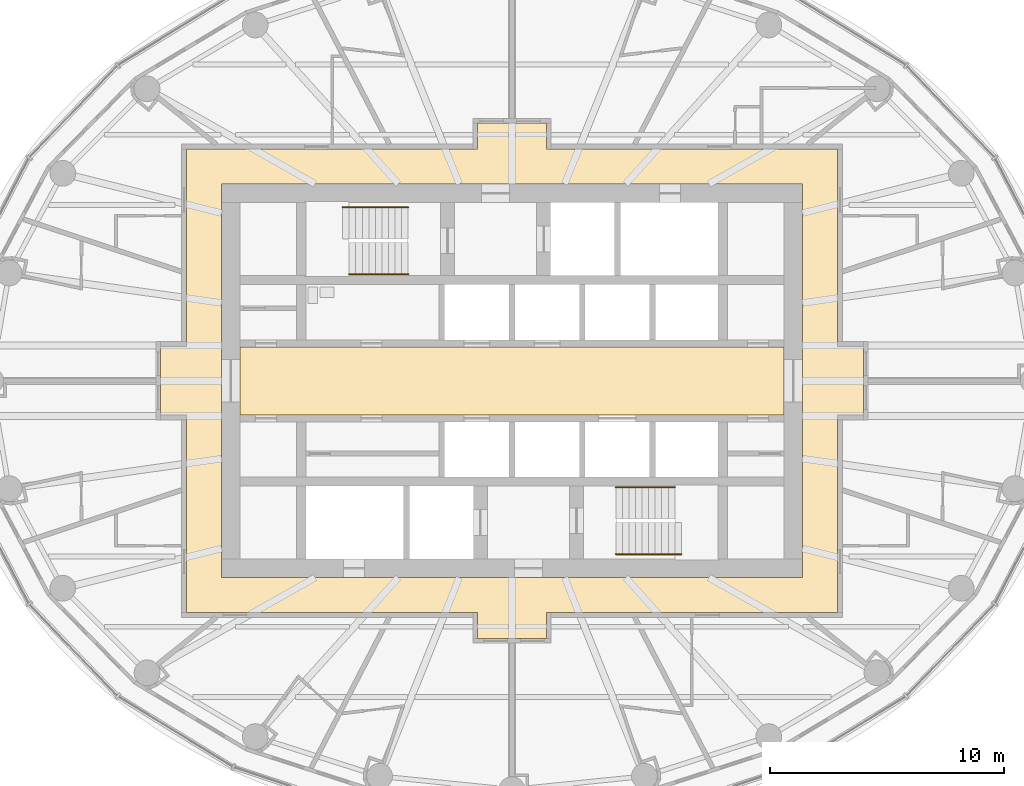
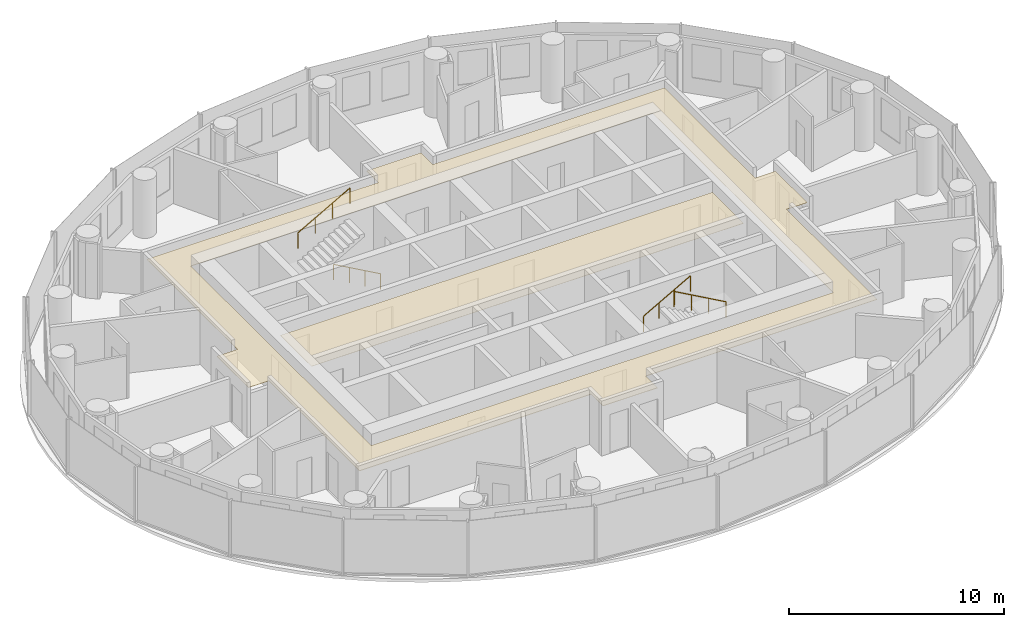
# One storey, part 15 of 16: 4 railings, 2 coverings.
"""IFC4 building model written with IfcOpenShell, lengths in metres."""

from ifc_helpers import new_model, si_unit, direction, frame, origin, origin_2d, place, context, subcontext, project, spatial, polyline, circle, outline, extrude, material, layer, layer_set, type_object, element, save


model = new_model("IFC4")

# Units and contexts
model_context = context("Model", 3, precision=1e-05, world=origin(), true_north=direction((0.0, 1.0)))
body_context = subcontext(model_context, "Body", "Model", "MODEL_VIEW")
ifc_project = project(units=[si_unit("LENGTHUNIT", "METRE"), si_unit("AREAUNIT", "SQUARE_METRE"), si_unit("VOLUMEUNIT", "CUBIC_METRE"), si_unit("PLANEANGLEUNIT", "RADIAN"), si_unit("MASSUNIT", "GRAM", prefix="KILO")], contexts=[model_context])

# Site, building, storey
site_placement = place(None, origin())
site = spatial("IfcSite", under=ifc_project, at=site_placement, CompositionType="ELEMENT")
building_placement = place(site_placement, origin())
building = spatial("IfcBuilding", under=site, at=building_placement, Name="Hankou Lantern Tower", CompositionType="ELEMENT")
storey_placement = place(building_placement, frame((0.0, 0.0, 150.0)))
storey = spatial("IfcBuildingStorey", under=building, at=storey_placement, Name="L39", CompositionType="ELEMENT", Elevation=150.0)

# Coverings
ifc_material_1 = material(Name="Black painted aluminium linear ceiling panels", Category="aluminium")
ifc_layer_1 = layer(ifc_material_1, 0.02490234375)
ifc_layer_set_1 = layer_set([ifc_layer_1], Name="Black painted aluminium linear ceiling panels")
covering_type_1 = type_object("IfcCoveringType", Name="CL1 CORRIDOR CEILING 25", PredefinedType="CEILING", material=ifc_layer_set_1)
covering_1_placement = place(storey_placement, frame((0.0, 0.0, 2.64501953125)))
element("IfcCovering", 1, at=covering_1_placement, inside=storey, type_object=covering_type_1, Name="Corridor ceiling L39", PredefinedType="CEILING", context=body_context, shape_type="SweptSolid", body=[
    extrude(outline(polyline([(1.469970703125, -11.0), (1.469970703125, -9.89990234375), (13.89990234375, -9.89990234375), (13.89990234375, -1.469970703125), (15.0, -1.469970703125), (15.0, 1.469970703125), (13.89990234375, 1.469970703125), (13.89990234375, 9.89990234375), (1.469970703125, 9.89990234375), (1.469970703125, 11.0), (-1.469970703125, 11.0), (-1.469970703125, 9.89990234375), (-13.89990234375, 9.89990234375), (-13.89990234375, 1.469970703125), (-15.0, 1.469970703125), (-15.0, -1.469970703125), (-13.89990234375, -1.469970703125), (-13.89990234375, -9.89990234375), (-1.469970703125, -9.89990234375), (-1.469970703125, -11.0), (1.469970703125, -11.0)]), holes=[polyline([(-12.39990234375, 8.39990234375), (12.39990234375, 8.39990234375), (12.39990234375, -8.39990234375), (-12.39990234375, -8.39990234375), (-12.39990234375, 8.39990234375)])]), origin(), (0.0, 0.0, 1.0), 0.02490234375),
])
ifc_material_2 = material(Name="Perforated black aluminium acoustic tray ceiling", Category="aluminium")
ifc_layer_2 = layer(ifc_material_2, 0.014892578125)
ifc_layer_set_2 = layer_set([ifc_layer_2], Name="Perforated black aluminium acoustic tray ceiling")
covering_type_2 = type_object("IfcCoveringType", Name="CL2 LIFT LOBBY CEILING 15", PredefinedType="CEILING", material=ifc_layer_set_2)
covering_2_placement = place(storey_placement, frame((0.0, 0.0, 2.655029296875)))
element("IfcCovering", 2, at=covering_2_placement, inside=storey, type_object=covering_type_2, Name="Lift lobby ceiling L39", PredefinedType="CEILING", context=body_context, shape_type="SweptSolid", body=[
    extrude(outline(polyline([(-11.60009765625, -1.449951171875), (11.60009765625, -1.449951171875), (11.60009765625, 1.449951171875), (-11.60009765625, 1.449951171875), (-11.60009765625, -1.449951171875)])), origin(), (0.0, 0.0, 1.0), 0.014892578125),
])

# Railings
ifc_material_3 = material(Name="Steel handrail", Category="steel")
railing_type = type_object("IfcRailingType", Name="HR1 STAIR HANDRAIL", PredefinedType="HANDRAIL", material=ifc_material_3)
railing_1_placement = place(storey_placement, frame((-4.429931640625, 4.550048828125, 0.89990234375)))
element("IfcRailing", 3, at=railing_1_placement, inside=storey, type_object=railing_type, Name="Handrail stair STA L39 flight 1", PredefinedType="HANDRAIL", context=body_context, shape_type="SweptSolid", body=[
    extrude(circle(Radius=0.02392578125, at=origin_2d()), frame((0.0, 0.0, 0.8759765625), z_axis=(-0.872048945198, 0.0, 0.489418672692), x_axis=(0.0, -1.0, 0.0)), (0.0, 0.0, 1.0), 2.8896484375),
    extrude(circle(Radius=0.02099609375, at=origin_2d()), origin(), (0.0, 0.0, 1.0), 0.851806640625),
    extrude(circle(Radius=0.02099609375, at=origin_2d()), frame((-0.840087890625, 0.0, 0.471435546875)), (0.0, 0.0, 1.0), 0.851806640625),
    extrude(circle(Radius=0.02099609375, at=origin_2d()), frame((-1.679931640625, 0.0, 0.94287109375)), (0.0, 0.0, 1.0), 0.851806640625),
    extrude(circle(Radius=0.02099609375, at=origin_2d()), frame((-2.52001953125, 0.0, 1.414306640625)), (0.0, 0.0, 1.0), 0.851806640625),
])
railing_2_placement = place(storey_placement, frame((-7.22998046875, 7.39990234375, 2.471435546875)))
element("IfcRailing", 4, at=railing_2_placement, inside=storey, type_object=railing_type, Name="Handrail stair STA L39 flight 2", PredefinedType="HANDRAIL", context=body_context, shape_type="SweptSolid", body=[
    extrude(circle(Radius=0.02392578125, at=origin_2d()), frame((0.0, 0.0, 0.8759765625), z_axis=(0.872040151574, 0.0, 0.489434340891), x_axis=(0.0, 1.0, 0.0)), (0.0, 0.0, 1.0), 3.2109375),
    extrude(circle(Radius=0.02099609375, at=origin_2d()), origin(), (0.0, 0.0, 1.0), 0.851806640625),
    extrude(circle(Radius=0.02099609375, at=origin_2d()), frame((0.933349609375, 0.0, 0.52392578125)), (0.0, 0.0, 1.0), 0.851806640625),
    extrude(circle(Radius=0.02099609375, at=origin_2d()), frame((1.86669921875, 0.0, 1.047607421875)), (0.0, 0.0, 1.0), 0.851806640625),
    extrude(circle(Radius=0.02099609375, at=origin_2d()), frame((2.800048828125, 0.0, 1.571533203125)), (0.0, 0.0, 1.0), 0.851806640625),
])
railing_3_placement = place(storey_placement, frame((4.429931640625, -4.550048828125, 0.89990234375)))
element("IfcRailing", 5, at=railing_3_placement, inside=storey, type_object=railing_type, Name="Handrail stair STB L39 flight 1", PredefinedType="HANDRAIL", context=body_context, shape_type="SweptSolid", body=[
    extrude(circle(Radius=0.02392578125, at=origin_2d()), frame((0.0, 0.0, 0.8759765625), z_axis=(0.872048945198, 0.0, 0.489418672692), x_axis=(0.0, 1.0, 0.0)), (0.0, 0.0, 1.0), 2.8896484375),
    extrude(circle(Radius=0.02099609375, at=origin_2d()), origin(), (0.0, 0.0, 1.0), 0.851806640625),
    extrude(circle(Radius=0.02099609375, at=origin_2d()), frame((0.840087890625, 0.0, 0.471435546875)), (0.0, 0.0, 1.0), 0.851806640625),
    extrude(circle(Radius=0.02099609375, at=origin_2d()), frame((1.679931640625, 0.0, 0.94287109375)), (0.0, 0.0, 1.0), 0.851806640625),
    extrude(circle(Radius=0.02099609375, at=origin_2d()), frame((2.52001953125, 0.0, 1.414306640625)), (0.0, 0.0, 1.0), 0.851806640625),
])
railing_4_placement = place(storey_placement, frame((7.22998046875, -7.39990234375, 2.471435546875)))
element("IfcRailing", 6, at=railing_4_placement, inside=storey, type_object=railing_type, Name="Handrail stair STB L39 flight 2", PredefinedType="HANDRAIL", context=body_context, shape_type="SweptSolid", body=[
    extrude(circle(Radius=0.02392578125, at=origin_2d()), frame((0.0, 0.0, 0.8759765625), z_axis=(-0.872040151574, 0.0, 0.489434340891), x_axis=(0.0, -1.0, 0.0)), (0.0, 0.0, 1.0), 3.2109375),
    extrude(circle(Radius=0.02099609375, at=origin_2d()), origin(), (0.0, 0.0, 1.0), 0.851806640625),
    extrude(circle(Radius=0.02099609375, at=origin_2d()), frame((-0.933349609375, 0.0, 0.52392578125)), (0.0, 0.0, 1.0), 0.851806640625),
    extrude(circle(Radius=0.02099609375, at=origin_2d()), frame((-1.86669921875, 0.0, 1.047607421875)), (0.0, 0.0, 1.0), 0.851806640625),
    extrude(circle(Radius=0.02099609375, at=origin_2d()), frame((-2.800048828125, 0.0, 1.571533203125)), (0.0, 0.0, 1.0), 0.851806640625),
])

save(model, "model.ifc")
